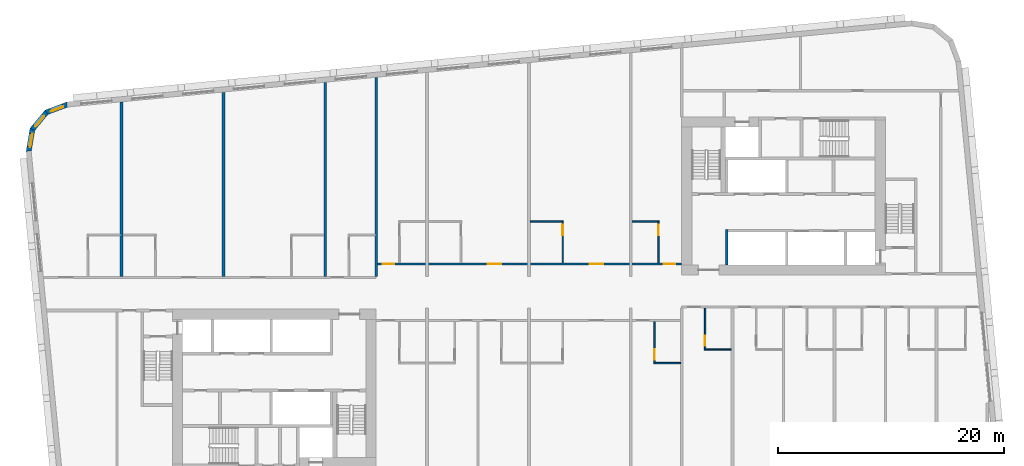
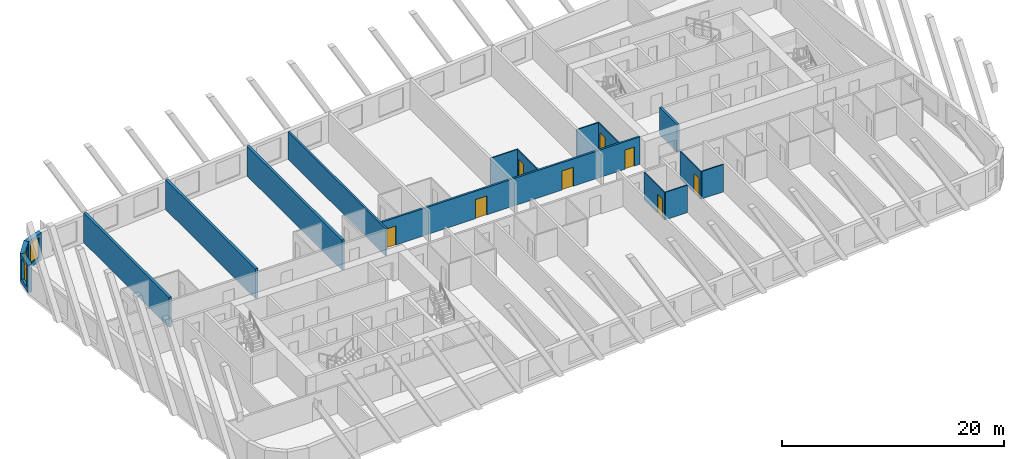
# One storey, part 5 of 13: 17 walls, 8 doors, 3 windows, 11 openings.
"""IFC4 building model written with IfcOpenShell, lengths in metres."""

from ifc_helpers import new_model, si_unit, direction, frame, frame_2d, origin, place, context, subcontext, project, spatial, polyline, rectangle, outline, extrude, material, layer, layer_set, type_object, element, fill, save


model = new_model("IFC4")

# Units and contexts
model_context = context("Model", 3, precision=1e-05, world=origin(), true_north=direction((0.0, 1.0)))
body_context = subcontext(model_context, "Body", "Model", "MODEL_VIEW")
ifc_project = project(units=[si_unit("LENGTHUNIT", "METRE"), si_unit("AREAUNIT", "SQUARE_METRE"), si_unit("VOLUMEUNIT", "CUBIC_METRE"), si_unit("PLANEANGLEUNIT", "RADIAN"), si_unit("MASSUNIT", "GRAM", prefix="KILO")], contexts=[model_context])

# Site, building, storey
site_placement = place(None, origin())
site = spatial("IfcSite", under=ifc_project, at=site_placement, CompositionType="ELEMENT")
building_placement = place(site_placement, origin())
building = spatial("IfcBuilding", under=site, at=building_placement, Name="Kajstack Hotel Tower", CompositionType="ELEMENT")
storey_placement = place(building_placement, frame((0.0, 0.0, 186.699951171875)))
storey = spatial("IfcBuildingStorey", under=building, at=storey_placement, Name="L44", CompositionType="ELEMENT", Elevation=186.699951171875)

# Wall, openings, doors
ifc_material_1 = material(Name="Gypsum board on steel studs, mineral wool", Category="steel")
ifc_layer_1 = layer(ifc_material_1, 0.199951171875)
ifc_layer_set_1 = layer_set([ifc_layer_1], Name="Corridor wall 200")
wall_type_1 = type_object("IfcWallType", Name="Corridor wall 200", PredefinedType="PARTITIONING", material=ifc_layer_set_1)
wall_1_placement = place(storey_placement, frame((-13.5, 2.5, 0.0), z_axis=(0.0, 0.0, 1.0), x_axis=(1.0, 0.0, 0.0)))
wall_1 = element("IfcWall", 1, at=wall_1_placement, inside=storey, type_object=wall_type_1, Name="G-wall-L44-004", PredefinedType="PARTITIONING", context=body_context, shape_type="SweptSolid", body=[
    extrude(rectangle(XDim=27.0, YDim=0.199951171875, at=frame_2d((13.5, 0.0))), origin(), (0.0, 0.0, 1.0), 3.02001953125),
])
opening_1_placement = place(wall_1_placement, frame((0.574951171875, 0.0, 0.0)))
opening_1 = element("IfcOpeningElement", 2, at=opening_1_placement, cuts=wall_1, Name="Opening 44009", PredefinedType="OPENING", context=body_context, shape_type="SweptSolid", body=[
    extrude(rectangle(XDim=1.0, YDim=2.10009765625, at=frame_2d((0.5, 1.050048828125))), frame((0.0, 0.10986328125, 0.0), z_axis=(0.0, -1.0, 0.0), x_axis=(1.0, 0.0, 0.0)), (0.0, 0.0, 1.0), 0.219970703125),
])
opening_2_placement = place(wall_1_placement, frame((9.863037109375, 0.0, 0.0)))
opening_2 = element("IfcOpeningElement", 3, at=opening_2_placement, cuts=wall_1, Name="Opening 44011", PredefinedType="OPENING", context=body_context, shape_type="SweptSolid", body=[
    extrude(rectangle(XDim=1.199951171875, YDim=2.10009765625, at=frame_2d((0.60009765625, 1.050048828125))), frame((0.0, 0.10986328125, 0.0), z_axis=(0.0, -1.0, 0.0), x_axis=(1.0, 0.0, 0.0)), (0.0, 0.0, 1.0), 0.219970703125),
])
opening_3_placement = place(wall_1_placement, frame((18.862060546875, 0.0, 0.0)))
opening_3 = element("IfcOpeningElement", 4, at=opening_3_placement, cuts=wall_1, Name="Opening 44013", PredefinedType="OPENING", context=body_context, shape_type="SweptSolid", body=[
    extrude(rectangle(XDim=1.199951171875, YDim=2.10009765625, at=frame_2d((0.60009765625, 1.050048828125))), frame((0.0, 0.10986328125, 0.0), z_axis=(0.0, -1.0, 0.0), x_axis=(1.0, 0.0, 0.0)), (0.0, 0.0, 1.0), 0.219970703125),
])
opening_4_placement = place(wall_1_placement, frame((25.425048828125, 0.0, 0.0)))
opening_4 = element("IfcOpeningElement", 5, at=opening_4_placement, cuts=wall_1, Name="Opening 44015", PredefinedType="OPENING", context=body_context, shape_type="SweptSolid", body=[
    extrude(rectangle(XDim=1.0, YDim=2.10009765625, at=frame_2d((0.5, 1.050048828125))), frame((0.0, 0.10986328125, 0.0), z_axis=(0.0, -1.0, 0.0), x_axis=(1.0, 0.0, 0.0)), (0.0, 0.0, 1.0), 0.219970703125),
])
ifc_material_2 = material(Name="Oak veneer on timber core, fire-rated leaf", Category="wood")
door_type_1 = type_object("IfcDoorType", Name="Flat entrance door 1000", OperationType="SINGLE_SWING_LEFT", PredefinedType="DOOR", material=ifc_material_2)
door_1_placement = place(opening_1_placement, origin())
door_1 = element("IfcDoor", 6, at=door_1_placement, inside=storey, type_object=door_type_1, Name="G-door-L44-09", OperationType="SINGLE_SWING_RIGHT", OverallHeight=2.10009765625, OverallWidth=1.0, PredefinedType="DOOR", context=body_context, shape_type="SweptSolid", body=[
    extrude(rectangle(XDim=1.0, YDim=2.10009765625, at=frame_2d((0.5, 1.050048828125))), frame((0.0, 0.02490234375, 0.0), z_axis=(0.0, -1.0, 0.0), x_axis=(1.0, 0.0, 0.0)), (0.0, 0.0, 1.0), 0.050048828125),
])
fill(opening_1, door_1)
door_2_placement = place(opening_4_placement, origin())
door_2 = element("IfcDoor", 7, at=door_2_placement, inside=storey, type_object=door_type_1, Name="G-door-L44-15", OperationType="SINGLE_SWING_RIGHT", OverallHeight=2.10009765625, OverallWidth=1.0, PredefinedType="DOOR", context=body_context, shape_type="SweptSolid", body=[
    extrude(rectangle(XDim=1.0, YDim=2.10009765625, at=frame_2d((0.5, 1.050048828125))), frame((0.0, 0.02490234375, 0.0), z_axis=(0.0, -1.0, 0.0), x_axis=(1.0, 0.0, 0.0)), (0.0, 0.0, 1.0), 0.050048828125),
])
fill(opening_4, door_2)
door_type_2 = type_object("IfcDoorType", Name="Flat entrance door 1200", OperationType="SINGLE_SWING_LEFT", PredefinedType="DOOR", material=ifc_material_2)
door_3_placement = place(opening_2_placement, origin())
door_3 = element("IfcDoor", 8, at=door_3_placement, inside=storey, type_object=door_type_2, Name="G-door-L44-11", OperationType="SINGLE_SWING_LEFT", OverallHeight=2.10009765625, OverallWidth=1.199951171875, PredefinedType="DOOR", context=body_context, shape_type="SweptSolid", body=[
    extrude(rectangle(XDim=1.199951171875, YDim=2.10009765625, at=frame_2d((0.60009765625, 1.050048828125))), frame((0.0, 0.02490234375, 0.0), z_axis=(0.0, -1.0, 0.0), x_axis=(1.0, 0.0, 0.0)), (0.0, 0.0, 1.0), 0.050048828125),
])
fill(opening_2, door_3)
door_4_placement = place(opening_3_placement, origin())
door_4 = element("IfcDoor", 9, at=door_4_placement, inside=storey, type_object=door_type_2, Name="G-door-L44-13", OperationType="SINGLE_SWING_LEFT", OverallHeight=2.10009765625, OverallWidth=1.199951171875, PredefinedType="DOOR", context=body_context, shape_type="SweptSolid", body=[
    extrude(rectangle(XDim=1.199951171875, YDim=2.10009765625, at=frame_2d((0.60009765625, 1.050048828125))), frame((0.0, 0.02490234375, 0.0), z_axis=(0.0, -1.0, 0.0), x_axis=(1.0, 0.0, 0.0)), (0.0, 0.0, 1.0), 0.050048828125),
])
fill(opening_3, door_4)

# Wall
ifc_material_3 = material(Name="Twin-frame gypsum board on steel studs, mineral wool", Category="steel")
ifc_layer_2 = layer(ifc_material_3, 0.199951171875)
ifc_layer_set_2 = layer_set([ifc_layer_2], Name="Demising wall 200")
wall_type_2 = type_object("IfcWallType", Name="Demising wall 200", PredefinedType="PARTITIONING", material=ifc_layer_set_2)
wall_2_placement = place(storey_placement, frame((-13.5, 1.39990234375, 0.0), z_axis=(0.0, 0.0, 1.0), x_axis=(0.0, 1.0, 0.0)))
element("IfcWall", 10, at=wall_2_placement, inside=storey, type_object=wall_type_2, Name="G-wall-L44-011", PredefinedType="PARTITIONING", context=body_context, shape_type="SweptSolid", body=[
    extrude(rectangle(XDim=17.590087890625, YDim=0.199951171875, at=frame_2d((8.794921875, 0.0))), origin(), (0.0, 0.0, 1.0), 3.02001953125),
])

# Wall, opening, window
ifc_material_4 = material(Name="Terracotta-faced brick masonry", Category="masonry")
ifc_layer_3 = layer(ifc_material_4, 0.449951171875)
ifc_layer_set_3 = layer_set([ifc_layer_3], Name="EW-TERRA")
wall_type_3 = type_object("IfcWallType", Name="EW-TERRA", PredefinedType="SOLIDWALL", material=ifc_layer_set_3)
wall_3_placement = place(storey_placement, frame((-40.76123046875, 16.598388671875, 0.0), z_axis=(0.0, 0.0, 1.0), x_axis=(-0.936677599948, -0.350192909346, 0.0)))
wall_3 = element("IfcWall", 11, at=wall_3_placement, inside=storey, type_object=wall_type_3, Name="E-wall-L44-13-00", PredefinedType="SOLIDWALL", context=body_context, shape_type="SweptSolid", body=[
    extrude(outline(polyline([(0.0, -0.22509765625), (2.070556640625, -0.224853515625), (1.949951171875, 0.22509765625), (0.12060546875, 0.22509765625), (0.0, -0.22509765625)])), origin(), (0.0, 0.0, 1.0), 3.02001953125),
])
opening_5_placement = place(wall_3_placement, frame((0.435302734375, 0.0, 0.449951171875)))
opening_5 = element("IfcOpeningElement", 12, at=opening_5_placement, cuts=wall_3, Name="Opening W3", PredefinedType="OPENING", context=body_context, shape_type="SweptSolid", body=[
    extrude(rectangle(XDim=1.199951171875, YDim=2.25, at=frame_2d((0.60009765625, 1.125))), frame((0.0, 0.23486328125, 0.0), z_axis=(0.0, -1.0, 0.0), x_axis=(1.0, 0.0, 0.0)), (0.0, 0.0, 1.0), 0.469970703125),
])
ifc_material_5 = material(Name="Timber-aluminium window, triple glazed", Category="wood")
window_type = type_object("IfcWindowType", Name="WG3", PartitioningType="SINGLE_PANEL", PredefinedType="WINDOW", material=ifc_material_5)
window_1_placement = place(opening_5_placement, origin())
window_1 = element("IfcWindow", 13, at=window_1_placement, inside=storey, type_object=window_type, Name="Window W3 L44-13", OverallHeight=2.25, OverallWidth=1.199951171875, PartitioningType="SINGLE_PANEL", PredefinedType="WINDOW", context=body_context, shape_type="SweptSolid", body=[
    extrude(rectangle(XDim=1.199951171875, YDim=2.25, at=frame_2d((0.60009765625, 1.125))), frame((0.0, 0.090087890625, 0.0), z_axis=(0.0, -1.0, 0.0), x_axis=(1.0, 0.0, 0.0)), (0.0, 0.0, 1.0), 0.06005859375),
])
fill(opening_5, window_1)

wall_4_placement = place(storey_placement, frame((-42.60595703125, 15.94091796875, 0.0), z_axis=(0.0, 0.0, 1.0), x_axis=(-0.636116318187, -0.771593176315, 0.0)))
wall_4 = element("IfcWall", 14, at=wall_4_placement, inside=storey, type_object=wall_type_3, Name="E-wall-L44-14-00", PredefinedType="SOLIDWALL", context=body_context, shape_type="SweptSolid", body=[
    extrude(outline(polyline([(0.0, -0.224853515625), (2.070556640625, -0.224853515625), (1.949951171875, 0.22509765625), (0.12060546875, 0.22509765625), (0.0, -0.224853515625)])), origin(), (0.0, 0.0, 1.0), 3.02001953125),
])
opening_6_placement = place(wall_4_placement, frame((0.435302734375, 0.0, 0.449951171875)))
opening_6 = element("IfcOpeningElement", 15, at=opening_6_placement, cuts=wall_4, Name="Opening W3", PredefinedType="OPENING", context=body_context, shape_type="SweptSolid", body=[
    extrude(rectangle(XDim=1.199951171875, YDim=2.25, at=frame_2d((0.60009765625, 1.125))), frame((0.0, 0.23486328125, 0.0), z_axis=(0.0, -1.0, 0.0), x_axis=(1.0, 0.0, 0.0)), (0.0, 0.0, 1.0), 0.469970703125),
])
window_2_placement = place(opening_6_placement, origin())
window_2 = element("IfcWindow", 16, at=window_2_placement, inside=storey, type_object=window_type, Name="Window W3 L44-14", OverallHeight=2.25, OverallWidth=1.199951171875, PartitioningType="SINGLE_PANEL", PredefinedType="WINDOW", context=body_context, shape_type="SweptSolid", body=[
    extrude(rectangle(XDim=1.199951171875, YDim=2.25, at=frame_2d((0.60009765625, 1.125))), frame((0.0, 0.090087890625, 0.0), z_axis=(0.0, -1.0, 0.0), x_axis=(1.0, 0.0, 0.0)), (0.0, 0.0, 1.0), 0.06005859375),
])
fill(opening_6, window_2)

wall_5_placement = place(storey_placement, frame((-43.874755859375, 14.44921875, 0.0), z_axis=(0.0, 0.0, 1.0), x_axis=(-0.164953448126, -0.986301353518, 0.0)))
wall_5 = element("IfcWall", 17, at=wall_5_placement, inside=storey, type_object=wall_type_3, Name="E-wall-L44-15-00", PredefinedType="SOLIDWALL", context=body_context, shape_type="SweptSolid", body=[
    extrude(outline(polyline([(0.0, -0.224853515625), (2.070556640625, -0.22509765625), (1.9501953125, 0.224853515625), (0.12060546875, 0.22509765625), (0.0, -0.224853515625)])), origin(), (0.0, 0.0, 1.0), 3.02001953125),
])
opening_7_placement = place(wall_5_placement, frame((0.435302734375, 0.0, 0.449951171875)))
opening_7 = element("IfcOpeningElement", 18, at=opening_7_placement, cuts=wall_5, Name="Opening W3", PredefinedType="OPENING", context=body_context, shape_type="SweptSolid", body=[
    extrude(rectangle(XDim=1.199951171875, YDim=2.25, at=frame_2d((0.60009765625, 1.125))), frame((0.0, 0.23486328125, 0.0), z_axis=(0.0, -1.0, 0.0), x_axis=(1.0, 0.0, 0.0)), (0.0, 0.0, 1.0), 0.469970703125),
])
window_3_placement = place(opening_7_placement, origin())
window_3 = element("IfcWindow", 19, at=window_3_placement, inside=storey, type_object=window_type, Name="Window W3 L44-15", OverallHeight=2.25, OverallWidth=1.199951171875, PartitioningType="SINGLE_PANEL", PredefinedType="WINDOW", context=body_context, shape_type="SweptSolid", body=[
    extrude(rectangle(XDim=1.199951171875, YDim=2.25, at=frame_2d((0.60009765625, 1.125))), frame((0.0, 0.090087890625, 0.0), z_axis=(0.0, -1.0, 0.0), x_axis=(1.0, 0.0, 0.0)), (0.0, 0.0, 1.0), 0.06005859375),
])
fill(opening_7, window_3)

# Wall, opening, door
ifc_material_6 = material(Name="Gypsum board and tiled backer on steel studs", Category="steel")
ifc_layer_4 = layer(ifc_material_6, 0.125)
ifc_layer_set_4 = layer_set([ifc_layer_4], Name="En-suite wall 125")
wall_type_4 = type_object("IfcWallType", Name="En-suite wall 125", PredefinedType="PARTITIONING", material=ifc_layer_set_4)
wall_6_placement = place(storey_placement, frame((2.987060546875, 2.60009765625, 0.0), z_axis=(0.0, 0.0, 1.0), x_axis=(0.0, 1.0, 0.0)))
wall_6 = element("IfcWall", 20, at=wall_6_placement, inside=storey, type_object=wall_type_4, Name="G-wall-L44-018", PredefinedType="PARTITIONING", context=body_context, shape_type="SweptSolid", body=[
    extrude(rectangle(XDim=3.724853515625, YDim=0.125, at=frame_2d((1.8623046875, 0.0))), origin(), (0.0, 0.0, 1.0), 3.02001953125),
])
opening_8_placement = place(wall_6_placement, frame((2.449951171875, 0.0, 0.0)))
opening_8 = element("IfcOpeningElement", 21, at=opening_8_placement, cuts=wall_6, Name="Opening 44014", PredefinedType="OPENING", context=body_context, shape_type="SweptSolid", body=[
    extrude(rectangle(XDim=0.89990234375, YDim=2.10009765625, at=frame_2d((0.449951171875, 1.050048828125))), frame((0.0, 0.072509765625, 0.0), z_axis=(0.0, -1.0, 0.0), x_axis=(1.0, 0.0, 0.0)), (0.0, 0.0, 1.0), 0.14501953125),
])
ifc_material_7 = material(Name="Painted timber door leaf", Category="wood")
door_type_3 = type_object("IfcDoorType", Name="Room door 900", OperationType="SINGLE_SWING_LEFT", PredefinedType="DOOR", material=ifc_material_7)
door_5_placement = place(opening_8_placement, origin())
door_5 = element("IfcDoor", 22, at=door_5_placement, inside=storey, type_object=door_type_3, Name="G-door-L44-14", OperationType="SINGLE_SWING_RIGHT", OverallHeight=2.10009765625, OverallWidth=0.89990234375, PredefinedType="DOOR", context=body_context, shape_type="SweptSolid", body=[
    extrude(rectangle(XDim=0.89990234375, YDim=2.10009765625, at=frame_2d((0.449951171875, 1.050048828125))), frame((0.0, 0.02490234375, 0.0), z_axis=(0.0, -1.0, 0.0), x_axis=(1.0, 0.0, 0.0)), (0.0, 0.0, 1.0), 0.050048828125),
])
fill(opening_8, door_5)

# Wall
wall_7_placement = place(storey_placement, frame((0.125, 6.262939453125, 0.0), z_axis=(0.0, 0.0, 1.0), x_axis=(1.0, 0.0, 0.0)))
element("IfcWall", 23, at=wall_7_placement, inside=storey, type_object=wall_type_4, Name="G-wall-L44-019", PredefinedType="PARTITIONING", context=body_context, shape_type="SweptSolid", body=[
    extrude(rectangle(XDim=2.800048828125, YDim=0.125, at=frame_2d((1.39990234375, 0.0))), origin(), (0.0, 0.0, 1.0), 3.02001953125),
])

# Wall, opening, door
wall_8_placement = place(storey_placement, frame((11.43798828125, 2.60009765625, 0.0), z_axis=(0.0, 0.0, 1.0), x_axis=(0.0, 1.0, 0.0)))
wall_8 = element("IfcWall", 24, at=wall_8_placement, inside=storey, type_object=wall_type_4, Name="G-wall-L44-020", PredefinedType="PARTITIONING", context=body_context, shape_type="SweptSolid", body=[
    extrude(rectangle(XDim=3.724853515625, YDim=0.125, at=frame_2d((1.8623046875, 0.0))), origin(), (0.0, 0.0, 1.0), 3.02001953125),
])
opening_9_placement = place(wall_8_placement, frame((2.449951171875, 0.0, 0.0)))
opening_9 = element("IfcOpeningElement", 25, at=opening_9_placement, cuts=wall_8, Name="Opening 44016", PredefinedType="OPENING", context=body_context, shape_type="SweptSolid", body=[
    extrude(rectangle(XDim=0.89990234375, YDim=2.10009765625, at=frame_2d((0.449951171875, 1.050048828125))), frame((0.0, 0.072509765625, 0.0), z_axis=(0.0, -1.0, 0.0), x_axis=(1.0, 0.0, 0.0)), (0.0, 0.0, 1.0), 0.14501953125),
])
door_6_placement = place(opening_9_placement, origin())
door_6 = element("IfcDoor", 26, at=door_6_placement, inside=storey, type_object=door_type_3, Name="G-door-L44-16", OperationType="SINGLE_SWING_RIGHT", OverallHeight=2.10009765625, OverallWidth=0.89990234375, PredefinedType="DOOR", context=body_context, shape_type="SweptSolid", body=[
    extrude(rectangle(XDim=0.89990234375, YDim=2.10009765625, at=frame_2d((0.449951171875, 1.050048828125))), frame((0.0, 0.02490234375, 0.0), z_axis=(0.0, -1.0, 0.0), x_axis=(1.0, 0.0, 0.0)), (0.0, 0.0, 1.0), 0.050048828125),
])
fill(opening_9, door_6)

# Wall
wall_9_placement = place(storey_placement, frame((9.125, 6.262939453125, 0.0), z_axis=(0.0, 0.0, 1.0), x_axis=(1.0, 0.0, 0.0)))
element("IfcWall", 27, at=wall_9_placement, inside=storey, type_object=wall_type_4, Name="G-wall-L44-021", PredefinedType="PARTITIONING", context=body_context, shape_type="SweptSolid", body=[
    extrude(rectangle(XDim=2.25, YDim=0.125, at=frame_2d((1.125, 0.0))), origin(), (0.0, 0.0, 1.0), 3.02001953125),
])

# Wall, opening, door
wall_10_placement = place(storey_placement, frame((11.087890625, -6.324951171875, 0.0), z_axis=(0.0, 0.0, 1.0), x_axis=(0.0, 1.0, 0.0)))
wall_10 = element("IfcWall", 28, at=wall_10_placement, inside=storey, type_object=wall_type_4, Name="G-wall-L44-034", PredefinedType="PARTITIONING", context=body_context, shape_type="SweptSolid", body=[
    extrude(rectangle(XDim=3.724853515625, YDim=0.125, at=frame_2d((1.8623046875, 0.0))), origin(), (0.0, 0.0, 1.0), 3.02001953125),
])
opening_10_placement = place(wall_10_placement, frame((0.375, 0.0, 0.0)))
opening_10 = element("IfcOpeningElement", 29, at=opening_10_placement, cuts=wall_10, Name="Opening 44026", PredefinedType="OPENING", context=body_context, shape_type="SweptSolid", body=[
    extrude(rectangle(XDim=0.89990234375, YDim=2.10009765625, at=frame_2d((0.449951171875, 1.050048828125))), frame((0.0, 0.072509765625, 0.0), z_axis=(0.0, -1.0, 0.0), x_axis=(1.0, 0.0, 0.0)), (0.0, 0.0, 1.0), 0.14501953125),
])
door_7_placement = place(opening_10_placement, origin())
door_7 = element("IfcDoor", 30, at=door_7_placement, inside=storey, type_object=door_type_3, Name="G-door-L44-26", OperationType="SINGLE_SWING_LEFT", OverallHeight=2.10009765625, OverallWidth=0.89990234375, PredefinedType="DOOR", context=body_context, shape_type="SweptSolid", body=[
    extrude(rectangle(XDim=0.89990234375, YDim=2.10009765625, at=frame_2d((0.449951171875, 1.050048828125))), frame((0.0, 0.02490234375, 0.0), z_axis=(0.0, -1.0, 0.0), x_axis=(1.0, 0.0, 0.0)), (0.0, 0.0, 1.0), 0.050048828125),
])
fill(opening_10, door_7)

# Wall
wall_11_placement = place(storey_placement, frame((11.14990234375, -6.262939453125, 0.0), z_axis=(0.0, 0.0, 1.0), x_axis=(1.0, 0.0, 0.0)))
element("IfcWall", 31, at=wall_11_placement, inside=storey, type_object=wall_type_4, Name="G-wall-L44-035", PredefinedType="PARTITIONING", context=body_context, shape_type="SweptSolid", body=[
    extrude(rectangle(XDim=2.25, YDim=0.125, at=frame_2d((1.125, 0.0))), origin(), (0.0, 0.0, 1.0), 3.02001953125),
])

# Wall, opening, door
wall_12_placement = place(storey_placement, frame((15.56201171875, -5.125, 0.0), z_axis=(0.0, 0.0, 1.0), x_axis=(0.0, 1.0, 0.0)))
wall_12 = element("IfcWall", 32, at=wall_12_placement, inside=storey, type_object=wall_type_4, Name="G-wall-L44-036", PredefinedType="PARTITIONING", context=body_context, shape_type="SweptSolid", body=[
    extrude(rectangle(XDim=3.72509765625, YDim=0.125, at=frame_2d((1.862548828125, 0.0))), origin(), (0.0, 0.0, 1.0), 3.02001953125),
])
opening_11_placement = place(wall_12_placement, frame((0.375, 0.0, 0.0)))
opening_11 = element("IfcOpeningElement", 33, at=opening_11_placement, cuts=wall_12, Name="Opening 44028", PredefinedType="OPENING", context=body_context, shape_type="SweptSolid", body=[
    extrude(rectangle(XDim=0.89990234375, YDim=2.10009765625, at=frame_2d((0.449951171875, 1.050048828125))), frame((0.0, 0.072509765625, 0.0), z_axis=(0.0, -1.0, 0.0), x_axis=(1.0, 0.0, 0.0)), (0.0, 0.0, 1.0), 0.14501953125),
])
door_8_placement = place(opening_11_placement, origin())
door_8 = element("IfcDoor", 34, at=door_8_placement, inside=storey, type_object=door_type_3, Name="G-door-L44-28", OperationType="SINGLE_SWING_LEFT", OverallHeight=2.10009765625, OverallWidth=0.89990234375, PredefinedType="DOOR", context=body_context, shape_type="SweptSolid", body=[
    extrude(rectangle(XDim=0.89990234375, YDim=2.10009765625, at=frame_2d((0.449951171875, 1.050048828125))), frame((0.0, 0.02490234375, 0.0), z_axis=(0.0, -1.0, 0.0), x_axis=(1.0, 0.0, 0.0)), (0.0, 0.0, 1.0), 0.050048828125),
])
fill(opening_11, door_8)

# Walls
wall_13_placement = place(storey_placement, frame((15.625, -5.06201171875, 0.0), z_axis=(0.0, 0.0, 1.0), x_axis=(1.0, 0.0, 0.0)))
element("IfcWall", 35, at=wall_13_placement, inside=storey, type_object=wall_type_4, Name="G-wall-L44-037", PredefinedType="PARTITIONING", context=body_context, shape_type="SweptSolid", body=[
    extrude(rectangle(XDim=2.25, YDim=0.125, at=frame_2d((1.125, 0.0))), origin(), (0.0, 0.0, 1.0), 3.02001953125),
])
ifc_material_8 = material(Name="Concrete C50/60", Category="concrete")
ifc_layer_5 = layer(ifc_material_8, 0.25)
ifc_layer_set_5 = layer_set([ifc_layer_5], Name="RC cross wall 250 C50/60")
wall_type_5 = type_object("IfcWallType", Name="RC cross wall 250 C50/60", PredefinedType="SHEAR", material=ifc_layer_set_5)
wall_14_placement = place(storey_placement, frame((-36.0, 1.39990234375, 0.0), z_axis=(0.0, 0.0, 1.0), x_axis=(0.0, 1.0, 0.0)))
element("IfcWall", 36, at=wall_14_placement, inside=storey, type_object=wall_type_5, Name="S-wall-L44-01", PredefinedType="SHEAR", context=body_context, shape_type="SweptSolid", body=[
    extrude(rectangle(XDim=15.401123046875, YDim=0.25, at=frame_2d((7.70068359375, 0.0))), origin(), (0.0, 0.0, 1.0), 3.300048828125),
])
wall_15_placement = place(storey_placement, frame((-27.0, 1.39990234375, 0.0), z_axis=(0.0, 0.0, 1.0), x_axis=(0.0, 1.0, 0.0)))
element("IfcWall", 37, at=wall_15_placement, inside=storey, type_object=wall_type_5, Name="S-wall-L44-02", PredefinedType="SHEAR", context=body_context, shape_type="SweptSolid", body=[
    extrude(rectangle(XDim=16.267578125, YDim=0.25, at=frame_2d((8.1337890625, 0.0))), origin(), (0.0, 0.0, 1.0), 3.300048828125),
])
wall_16_placement = place(storey_placement, frame((-18.0, 1.39990234375, 0.0), z_axis=(0.0, 0.0, 1.0), x_axis=(0.0, 1.0, 0.0)))
element("IfcWall", 38, at=wall_16_placement, inside=storey, type_object=wall_type_5, Name="S-wall-L44-03", PredefinedType="SHEAR", context=body_context, shape_type="SweptSolid", body=[
    extrude(rectangle(XDim=17.13427734375, YDim=0.25, at=frame_2d((8.567138671875, 0.0))), origin(), (0.0, 0.0, 1.0), 3.300048828125),
])
ifc_layer_6 = layer(ifc_material_8, 0.25)
ifc_layer_set_6 = layer_set([ifc_layer_6], Name="Shaft wall 250")
wall_type_6 = type_object("IfcWallType", Name="Shaft wall 250", PredefinedType="SHEAR", material=ifc_layer_set_6)
wall_17_placement = place(storey_placement, frame((17.47509765625, 2.39990234375, 0.0), z_axis=(0.0, 0.0, 1.0), x_axis=(0.0, 1.0, 0.0)))
element("IfcWall", 39, at=wall_17_placement, inside=storey, type_object=wall_type_6, Name="Core wall E AE", PredefinedType="SHEAR", context=body_context, shape_type="SweptSolid", body=[
    extrude(rectangle(XDim=3.150146484375, YDim=0.25, at=frame_2d((1.5751953125, 0.0))), origin(), (0.0, 0.0, 1.0), 3.02001953125),
])

save(model, "model.ifc")
